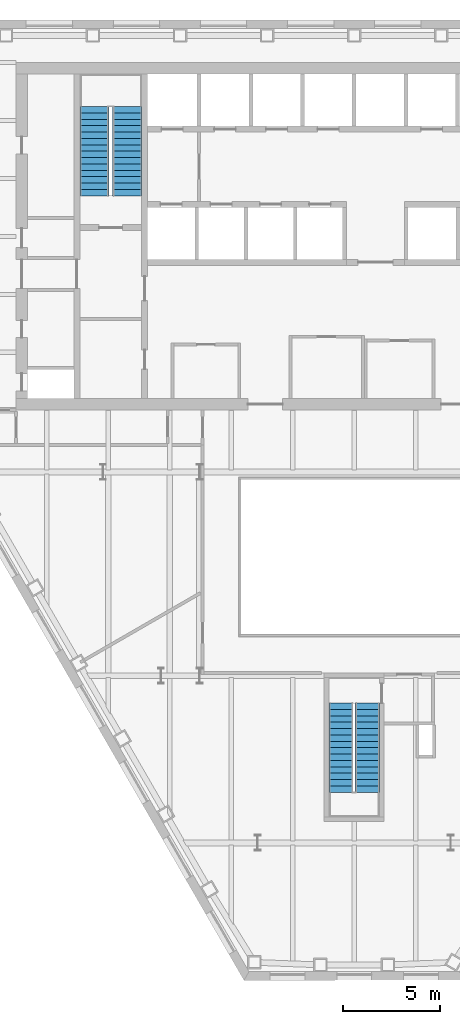
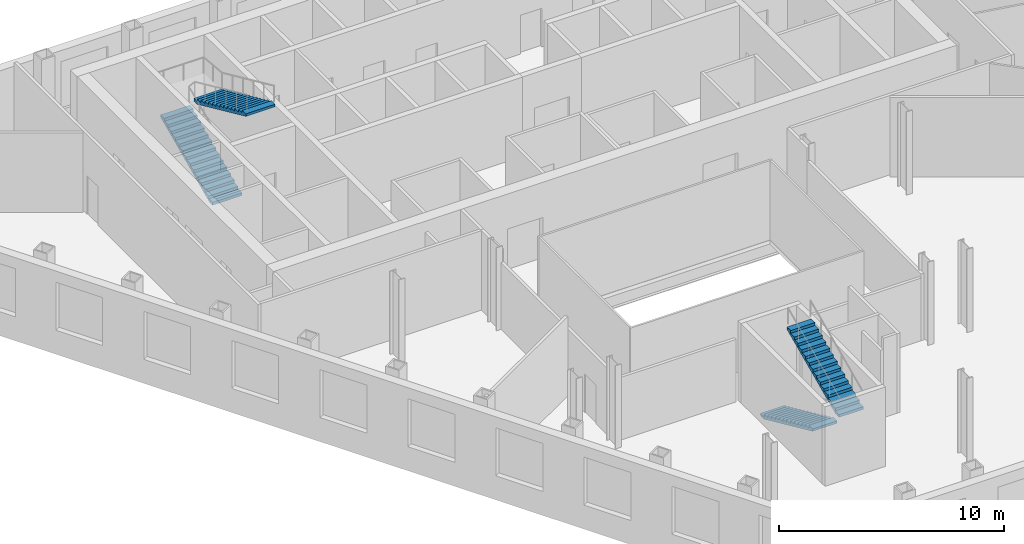
# One storey, part 8 of 10: 4 stair flights, 2 elements without a shape of their own.
"""IFC4 building model written with IfcOpenShell, lengths in metres."""

from ifc_helpers import new_model, si_unit, direction, frame, origin, place, context, subcontext, project, spatial, polygons, material, type_object, element, aggregate, save


model = new_model("IFC4")

# Units and contexts
model_context = context("Model", 3, precision=1e-05, world=origin(), true_north=direction((0.0, 1.0)))
body_context = subcontext(model_context, "Body", "Model", "MODEL_VIEW")
ifc_project = project(units=[si_unit("LENGTHUNIT", "METRE"), si_unit("AREAUNIT", "SQUARE_METRE"), si_unit("VOLUMEUNIT", "CUBIC_METRE"), si_unit("PLANEANGLEUNIT", "RADIAN"), si_unit("MASSUNIT", "GRAM", prefix="KILO")], contexts=[model_context])

# Site, building, storey
site_placement = place(None, origin())
site = spatial("IfcSite", under=ifc_project, at=site_placement, CompositionType="ELEMENT")
building_placement = place(site_placement, origin())
building = spatial("IfcBuilding", under=site, at=building_placement, Name="Njiva Tower", CompositionType="ELEMENT")
storey_placement = place(building_placement, frame((0.0, 0.0, 51.3)))
storey = spatial("IfcBuildingStorey", under=building, at=storey_placement, Name="L10", CompositionType="ELEMENT", Elevation=51.3)

# Stair, stair flights
ifc_material = material(Name="Concrete C40/50", Category="concrete")
stair_type_1 = type_object("IfcStairType", Name="ST1 Exit stair 1250", PredefinedType="HALF_TURN_STAIR", material=ifc_material)
stair_1_placement = place(storey_placement, origin())
stair_1 = element("IfcStair", 1, at=stair_1_placement, inside=storey, type_object=stair_type_1, Name="Stair C", PredefinedType="HALF_TURN_STAIR")
stair_flight_type_1 = type_object("IfcStairFlightType", Name="FL1 Stair flight 1250", PredefinedType="STRAIGHT", material=ifc_material)
stair_flight_1_placement = place(storey_placement, frame((-0.675, -15.16, 0.0), z_axis=(0.0, 0.0, 1.0), x_axis=(0.0, -1.0, 0.0)))
stair_flight_1 = element("IfcStairFlight", 2, at=stair_flight_1_placement, type_object=stair_flight_type_1, Name="ST-C flight 1", NumberOfRisers=15, NumberOfTreads=14, PredefinedType="STRAIGHT", RiserHeight=0.15, TreadLength=0.33, context=body_context, shape_type="Tessellation", body=[
    polygons([(0.0, 0.625, 0.0), (0.0, 0.3125, 0.0), (0.0, 0.0, 0.0), (0.0, -0.3125, 0.0), (0.0, -0.625, 0.0), (0.0, 0.625, 0.15), (0.0, 0.3125, 0.15), (0.0, 0.0, 0.15), (0.0, -0.3125, 0.15), (0.0, -0.625, 0.15), (0.33, 0.625, 0.15), (0.33, 0.3125, 0.15), (0.33, 0.0, 0.15), (0.33, -0.3125, 0.15), (0.33, -0.625, 0.15), (0.33, 0.625, 0.3), (0.33, 0.3125, 0.3), (0.33, 0.0, 0.3), (0.33, -0.3125, 0.3), (0.33, -0.625, 0.3), (0.66, 0.625, 0.3), (0.66, 0.3125, 0.3), (0.66, 0.0, 0.3), (0.66, -0.3125, 0.3), (0.66, -0.625, 0.3), (0.66, 0.625, 0.45), (0.66, 0.3125, 0.45), (0.66, 0.0, 0.45), (0.66, -0.3125, 0.45), (0.66, -0.625, 0.45), (0.99, 0.625, 0.45), (0.99, 0.3125, 0.45), (0.99, 0.0, 0.45), (0.99, -0.3125, 0.45), (0.99, -0.625, 0.45), (0.99, 0.625, 0.6), (0.99, 0.3125, 0.6), (0.99, 0.0, 0.6), (0.99, -0.3125, 0.6), (0.99, -0.625, 0.6), (1.32, 0.625, 0.6), (1.32, 0.3125, 0.6), (1.32, 0.0, 0.6), (1.32, -0.3125, 0.6), (1.32, -0.625, 0.6), (1.32, 0.625, 0.75), (1.32, 0.3125, 0.75), (1.32, 0.0, 0.75), (1.32, -0.3125, 0.75), (1.32, -0.625, 0.75), (1.65, 0.625, 0.75), (1.65, 0.3125, 0.75), (1.65, 0.0, 0.75), (1.65, -0.3125, 0.75), (1.65, -0.625, 0.75), (1.65, 0.625, 0.9), (1.65, 0.3125, 0.9), (1.65, 0.0, 0.9), (1.65, -0.3125, 0.9), (1.65, -0.625, 0.9), (1.98, 0.625, 0.9), (1.98, 0.3125, 0.9), (1.98, 0.0, 0.9), (1.98, -0.3125, 0.9), (1.98, -0.625, 0.9), (1.98, 0.625, 1.05), (1.98, 0.3125, 1.05), (1.98, 0.0, 1.05), (1.98, -0.3125, 1.05), (1.98, -0.625, 1.05), (2.31, 0.625, 1.05), (2.31, 0.3125, 1.05), (2.31, 0.0, 1.05), (2.31, -0.3125, 1.05), (2.31, -0.625, 1.05), (2.31, 0.625, 1.2), (2.31, 0.3125, 1.2), (2.31, 0.0, 1.2), (2.31, -0.3125, 1.2), (2.31, -0.625, 1.2), (2.64, 0.625, 1.2), (2.64, 0.3125, 1.2), (2.64, 0.0, 1.2), (2.64, -0.3125, 1.2), (2.64, -0.625, 1.2), (2.64, 0.625, 1.35), (2.64, 0.3125, 1.35), (2.64, 0.0, 1.35), (2.64, -0.3125, 1.35), (2.64, -0.625, 1.35), (2.97, 0.625, 1.35), (2.97, 0.3125, 1.35), (2.97, 0.0, 1.35), (2.97, -0.3125, 1.35), (2.97, -0.625, 1.35), (2.97, 0.625, 1.5), (2.97, 0.3125, 1.5), (2.97, 0.0, 1.5), (2.97, -0.3125, 1.5), (2.97, -0.625, 1.5), (3.3, 0.625, 1.5), (3.3, 0.3125, 1.5), (3.3, 0.0, 1.5), (3.3, -0.3125, 1.5), (3.3, -0.625, 1.5), (3.3, 0.625, 1.65), (3.3, 0.3125, 1.65), (3.3, 0.0, 1.65), (3.3, -0.3125, 1.65), (3.3, -0.625, 1.65), (3.63, 0.625, 1.65), (3.63, 0.3125, 1.65), (3.63, 0.0, 1.65), (3.63, -0.3125, 1.65), (3.63, -0.625, 1.65), (3.63, 0.625, 1.8), (3.63, 0.3125, 1.8), (3.63, 0.0, 1.8), (3.63, -0.3125, 1.8), (3.63, -0.625, 1.8), (3.96, 0.625, 1.8), (3.96, 0.3125, 1.8), (3.96, 0.0, 1.8), (3.96, -0.3125, 1.8), (3.96, -0.625, 1.8), (3.96, 0.625, 1.95), (3.96, 0.3125, 1.95), (3.96, 0.0, 1.95), (3.96, -0.3125, 1.95), (3.96, -0.625, 1.95), (4.29, 0.625, 1.95), (4.29, 0.3125, 1.95), (4.29, 0.0, 1.95), (4.29, -0.3125, 1.95), (4.29, -0.625, 1.95), (4.29, 0.625, 2.1), (4.29, 0.3125, 2.1), (4.29, 0.0, 2.1), (4.29, -0.3125, 2.1), (4.29, -0.625, 2.1), (4.62, 0.625, 2.1), (4.62, 0.3125, 2.1), (4.62, 0.0, 2.1), (4.62, -0.3125, 2.1), (4.62, -0.625, 2.1), (4.62, 0.625, 1.9682), (4.62, 0.3125, 1.9682), (4.62, 0.0, 1.9682), (4.62, -0.3125, 1.9682), (4.62, -0.625, 1.9682), (0.29, 0.625, 0.0), (0.29, 0.3125, 0.0), (0.29, 0.0, 0.0), (0.29, -0.3125, 0.0), (0.29, -0.625, 0.0)], [[[1, 6, 11, 16, 21, 26, 31, 36, 41, 46, 51, 56, 61, 66, 71, 76, 81, 86, 91, 96, 101, 106, 111, 116, 121, 126, 131, 136, 141, 146, 151]], [[155, 150, 145, 140, 135, 130, 125, 120, 115, 110, 105, 100, 95, 90, 85, 80, 75, 70, 65, 60, 55, 50, 45, 40, 35, 30, 25, 20, 15, 10, 5]], [[6, 1, 2, 7]], [[7, 2, 3, 8]], [[8, 3, 4, 9]], [[9, 4, 5, 10]], [[11, 6, 7, 12]], [[12, 7, 8, 13]], [[13, 8, 9, 14]], [[14, 9, 10, 15]], [[16, 11, 12, 17]], [[17, 12, 13, 18]], [[18, 13, 14, 19]], [[19, 14, 15, 20]], [[21, 16, 17, 22]], [[22, 17, 18, 23]], [[23, 18, 19, 24]], [[24, 19, 20, 25]], [[26, 21, 22, 27]], [[27, 22, 23, 28]], [[28, 23, 24, 29]], [[29, 24, 25, 30]], [[31, 26, 27, 32]], [[32, 27, 28, 33]], [[33, 28, 29, 34]], [[34, 29, 30, 35]], [[36, 31, 32, 37]], [[37, 32, 33, 38]], [[38, 33, 34, 39]], [[39, 34, 35, 40]], [[41, 36, 37, 42]], [[42, 37, 38, 43]], [[43, 38, 39, 44]], [[44, 39, 40, 45]], [[46, 41, 42, 47]], [[47, 42, 43, 48]], [[48, 43, 44, 49]], [[49, 44, 45, 50]], [[51, 46, 47, 52]], [[52, 47, 48, 53]], [[53, 48, 49, 54]], [[54, 49, 50, 55]], [[56, 51, 52, 57]], [[57, 52, 53, 58]], [[58, 53, 54, 59]], [[59, 54, 55, 60]], [[61, 56, 57, 62]], [[62, 57, 58, 63]], [[63, 58, 59, 64]], [[64, 59, 60, 65]], [[66, 61, 62, 67]], [[67, 62, 63, 68]], [[68, 63, 64, 69]], [[69, 64, 65, 70]], [[71, 66, 67, 72]], [[72, 67, 68, 73]], [[73, 68, 69, 74]], [[74, 69, 70, 75]], [[76, 71, 72, 77]], [[77, 72, 73, 78]], [[78, 73, 74, 79]], [[79, 74, 75, 80]], [[81, 76, 77, 82]], [[82, 77, 78, 83]], [[83, 78, 79, 84]], [[84, 79, 80, 85]], [[86, 81, 82, 87]], [[87, 82, 83, 88]], [[88, 83, 84, 89]], [[89, 84, 85, 90]], [[91, 86, 87, 92]], [[92, 87, 88, 93]], [[93, 88, 89, 94]], [[94, 89, 90, 95]], [[96, 91, 92, 97]], [[97, 92, 93, 98]], [[98, 93, 94, 99]], [[99, 94, 95, 100]], [[101, 96, 97, 102]], [[102, 97, 98, 103]], [[103, 98, 99, 104]], [[104, 99, 100, 105]], [[106, 101, 102, 107]], [[107, 102, 103, 108]], [[108, 103, 104, 109]], [[109, 104, 105, 110]], [[111, 106, 107, 112]], [[112, 107, 108, 113]], [[113, 108, 109, 114]], [[114, 109, 110, 115]], [[116, 111, 112, 117]], [[117, 112, 113, 118]], [[118, 113, 114, 119]], [[119, 114, 115, 120]], [[121, 116, 117, 122]], [[122, 117, 118, 123]], [[123, 118, 119, 124]], [[124, 119, 120, 125]], [[126, 121, 122, 127]], [[127, 122, 123, 128]], [[128, 123, 124, 129]], [[129, 124, 125, 130]], [[131, 126, 127, 132]], [[132, 127, 128, 133]], [[133, 128, 129, 134]], [[134, 129, 130, 135]], [[136, 131, 132, 137]], [[137, 132, 133, 138]], [[138, 133, 134, 139]], [[139, 134, 135, 140]], [[141, 136, 137, 142]], [[142, 137, 138, 143]], [[143, 138, 139, 144]], [[144, 139, 140, 145]], [[146, 141, 142, 147]], [[147, 142, 143, 148]], [[148, 143, 144, 149]], [[149, 144, 145, 150]], [[151, 146, 147, 152]], [[152, 147, 148, 153]], [[153, 148, 149, 154]], [[154, 149, 150, 155]], [[1, 151, 152, 2]], [[2, 152, 153, 3]], [[3, 153, 154, 4]], [[4, 154, 155, 5]]], closed=True),
])
stair_flight_2_placement = place(storey_placement, frame((0.675, -19.78, 2.25), z_axis=(0.0, 0.0, 1.0), x_axis=(0.0, 1.0, 0.0)))
stair_flight_2 = element("IfcStairFlight", 3, at=stair_flight_2_placement, type_object=stair_flight_type_1, Name="ST-C flight 2", NumberOfRisers=15, NumberOfTreads=14, PredefinedType="STRAIGHT", RiserHeight=0.15, TreadLength=0.33, context=body_context, shape_type="Tessellation", body=[
    polygons([(0.0, 0.625, 0.0), (0.0, 0.3125, 0.0), (0.0, 0.0, 0.0), (0.0, -0.3125, 0.0), (0.0, -0.625, 0.0), (0.0, 0.625, 0.15), (0.0, 0.3125, 0.15), (0.0, 0.0, 0.15), (0.0, -0.3125, 0.15), (0.0, -0.625, 0.15), (0.33, 0.625, 0.15), (0.33, 0.3125, 0.15), (0.33, 0.0, 0.15), (0.33, -0.3125, 0.15), (0.33, -0.625, 0.15), (0.33, 0.625, 0.3), (0.33, 0.3125, 0.3), (0.33, 0.0, 0.3), (0.33, -0.3125, 0.3), (0.33, -0.625, 0.3), (0.66, 0.625, 0.3), (0.66, 0.3125, 0.3), (0.66, 0.0, 0.3), (0.66, -0.3125, 0.3), (0.66, -0.625, 0.3), (0.66, 0.625, 0.45), (0.66, 0.3125, 0.45), (0.66, 0.0, 0.45), (0.66, -0.3125, 0.45), (0.66, -0.625, 0.45), (0.99, 0.625, 0.45), (0.99, 0.3125, 0.45), (0.99, 0.0, 0.45), (0.99, -0.3125, 0.45), (0.99, -0.625, 0.45), (0.99, 0.625, 0.6), (0.99, 0.3125, 0.6), (0.99, 0.0, 0.6), (0.99, -0.3125, 0.6), (0.99, -0.625, 0.6), (1.32, 0.625, 0.6), (1.32, 0.3125, 0.6), (1.32, 0.0, 0.6), (1.32, -0.3125, 0.6), (1.32, -0.625, 0.6), (1.32, 0.625, 0.75), (1.32, 0.3125, 0.75), (1.32, 0.0, 0.75), (1.32, -0.3125, 0.75), (1.32, -0.625, 0.75), (1.65, 0.625, 0.75), (1.65, 0.3125, 0.75), (1.65, 0.0, 0.75), (1.65, -0.3125, 0.75), (1.65, -0.625, 0.75), (1.65, 0.625, 0.9), (1.65, 0.3125, 0.9), (1.65, 0.0, 0.9), (1.65, -0.3125, 0.9), (1.65, -0.625, 0.9), (1.98, 0.625, 0.9), (1.98, 0.3125, 0.9), (1.98, 0.0, 0.9), (1.98, -0.3125, 0.9), (1.98, -0.625, 0.9), (1.98, 0.625, 1.05), (1.98, 0.3125, 1.05), (1.98, 0.0, 1.05), (1.98, -0.3125, 1.05), (1.98, -0.625, 1.05), (2.31, 0.625, 1.05), (2.31, 0.3125, 1.05), (2.31, 0.0, 1.05), (2.31, -0.3125, 1.05), (2.31, -0.625, 1.05), (2.31, 0.625, 1.2), (2.31, 0.3125, 1.2), (2.31, 0.0, 1.2), (2.31, -0.3125, 1.2), (2.31, -0.625, 1.2), (2.64, 0.625, 1.2), (2.64, 0.3125, 1.2), (2.64, 0.0, 1.2), (2.64, -0.3125, 1.2), (2.64, -0.625, 1.2), (2.64, 0.625, 1.35), (2.64, 0.3125, 1.35), (2.64, 0.0, 1.35), (2.64, -0.3125, 1.35), (2.64, -0.625, 1.35), (2.97, 0.625, 1.35), (2.97, 0.3125, 1.35), (2.97, 0.0, 1.35), (2.97, -0.3125, 1.35), (2.97, -0.625, 1.35), (2.97, 0.625, 1.5), (2.97, 0.3125, 1.5), (2.97, 0.0, 1.5), (2.97, -0.3125, 1.5), (2.97, -0.625, 1.5), (3.3, 0.625, 1.5), (3.3, 0.3125, 1.5), (3.3, 0.0, 1.5), (3.3, -0.3125, 1.5), (3.3, -0.625, 1.5), (3.3, 0.625, 1.65), (3.3, 0.3125, 1.65), (3.3, 0.0, 1.65), (3.3, -0.3125, 1.65), (3.3, -0.625, 1.65), (3.63, 0.625, 1.65), (3.63, 0.3125, 1.65), (3.63, 0.0, 1.65), (3.63, -0.3125, 1.65), (3.63, -0.625, 1.65), (3.63, 0.625, 1.8), (3.63, 0.3125, 1.8), (3.63, 0.0, 1.8), (3.63, -0.3125, 1.8), (3.63, -0.625, 1.8), (3.96, 0.625, 1.8), (3.96, 0.3125, 1.8), (3.96, 0.0, 1.8), (3.96, -0.3125, 1.8), (3.96, -0.625, 1.8), (3.96, 0.625, 1.95), (3.96, 0.3125, 1.95), (3.96, 0.0, 1.95), (3.96, -0.3125, 1.95), (3.96, -0.625, 1.95), (4.29, 0.625, 1.95), (4.29, 0.3125, 1.95), (4.29, 0.0, 1.95), (4.29, -0.3125, 1.95), (4.29, -0.625, 1.95), (4.29, 0.625, 2.1), (4.29, 0.3125, 2.1), (4.29, 0.0, 2.1), (4.29, -0.3125, 2.1), (4.29, -0.625, 2.1), (4.62, 0.625, 2.1), (4.62, 0.3125, 2.1), (4.62, 0.0, 2.1), (4.62, -0.3125, 2.1), (4.62, -0.625, 2.1), (4.62, 0.625, 1.9682), (4.62, 0.3125, 1.9682), (4.62, 0.0, 1.9682), (4.62, -0.3125, 1.9682), (4.62, -0.625, 1.9682), (0.29, 0.625, 0.0), (0.29, 0.3125, 0.0), (0.29, 0.0, 0.0), (0.29, -0.3125, 0.0), (0.29, -0.625, 0.0)], [[[1, 6, 11, 16, 21, 26, 31, 36, 41, 46, 51, 56, 61, 66, 71, 76, 81, 86, 91, 96, 101, 106, 111, 116, 121, 126, 131, 136, 141, 146, 151]], [[155, 150, 145, 140, 135, 130, 125, 120, 115, 110, 105, 100, 95, 90, 85, 80, 75, 70, 65, 60, 55, 50, 45, 40, 35, 30, 25, 20, 15, 10, 5]], [[6, 1, 2, 7]], [[7, 2, 3, 8]], [[8, 3, 4, 9]], [[9, 4, 5, 10]], [[11, 6, 7, 12]], [[12, 7, 8, 13]], [[13, 8, 9, 14]], [[14, 9, 10, 15]], [[16, 11, 12, 17]], [[17, 12, 13, 18]], [[18, 13, 14, 19]], [[19, 14, 15, 20]], [[21, 16, 17, 22]], [[22, 17, 18, 23]], [[23, 18, 19, 24]], [[24, 19, 20, 25]], [[26, 21, 22, 27]], [[27, 22, 23, 28]], [[28, 23, 24, 29]], [[29, 24, 25, 30]], [[31, 26, 27, 32]], [[32, 27, 28, 33]], [[33, 28, 29, 34]], [[34, 29, 30, 35]], [[36, 31, 32, 37]], [[37, 32, 33, 38]], [[38, 33, 34, 39]], [[39, 34, 35, 40]], [[41, 36, 37, 42]], [[42, 37, 38, 43]], [[43, 38, 39, 44]], [[44, 39, 40, 45]], [[46, 41, 42, 47]], [[47, 42, 43, 48]], [[48, 43, 44, 49]], [[49, 44, 45, 50]], [[51, 46, 47, 52]], [[52, 47, 48, 53]], [[53, 48, 49, 54]], [[54, 49, 50, 55]], [[56, 51, 52, 57]], [[57, 52, 53, 58]], [[58, 53, 54, 59]], [[59, 54, 55, 60]], [[61, 56, 57, 62]], [[62, 57, 58, 63]], [[63, 58, 59, 64]], [[64, 59, 60, 65]], [[66, 61, 62, 67]], [[67, 62, 63, 68]], [[68, 63, 64, 69]], [[69, 64, 65, 70]], [[71, 66, 67, 72]], [[72, 67, 68, 73]], [[73, 68, 69, 74]], [[74, 69, 70, 75]], [[76, 71, 72, 77]], [[77, 72, 73, 78]], [[78, 73, 74, 79]], [[79, 74, 75, 80]], [[81, 76, 77, 82]], [[82, 77, 78, 83]], [[83, 78, 79, 84]], [[84, 79, 80, 85]], [[86, 81, 82, 87]], [[87, 82, 83, 88]], [[88, 83, 84, 89]], [[89, 84, 85, 90]], [[91, 86, 87, 92]], [[92, 87, 88, 93]], [[93, 88, 89, 94]], [[94, 89, 90, 95]], [[96, 91, 92, 97]], [[97, 92, 93, 98]], [[98, 93, 94, 99]], [[99, 94, 95, 100]], [[101, 96, 97, 102]], [[102, 97, 98, 103]], [[103, 98, 99, 104]], [[104, 99, 100, 105]], [[106, 101, 102, 107]], [[107, 102, 103, 108]], [[108, 103, 104, 109]], [[109, 104, 105, 110]], [[111, 106, 107, 112]], [[112, 107, 108, 113]], [[113, 108, 109, 114]], [[114, 109, 110, 115]], [[116, 111, 112, 117]], [[117, 112, 113, 118]], [[118, 113, 114, 119]], [[119, 114, 115, 120]], [[121, 116, 117, 122]], [[122, 117, 118, 123]], [[123, 118, 119, 124]], [[124, 119, 120, 125]], [[126, 121, 122, 127]], [[127, 122, 123, 128]], [[128, 123, 124, 129]], [[129, 124, 125, 130]], [[131, 126, 127, 132]], [[132, 127, 128, 133]], [[133, 128, 129, 134]], [[134, 129, 130, 135]], [[136, 131, 132, 137]], [[137, 132, 133, 138]], [[138, 133, 134, 139]], [[139, 134, 135, 140]], [[141, 136, 137, 142]], [[142, 137, 138, 143]], [[143, 138, 139, 144]], [[144, 139, 140, 145]], [[146, 141, 142, 147]], [[147, 142, 143, 148]], [[148, 143, 144, 149]], [[149, 144, 145, 150]], [[151, 146, 147, 152]], [[152, 147, 148, 153]], [[153, 148, 149, 154]], [[154, 149, 150, 155]], [[1, 151, 152, 2]], [[2, 152, 153, 3]], [[3, 153, 154, 4]], [[4, 154, 155, 5]]], closed=True),
])
aggregate(stair_1, [stair_flight_1, stair_flight_2])

stair_type_2 = type_object("IfcStairType", Name="ST4 Exit stair 1500", PredefinedType="HALF_TURN_STAIR", material=ifc_material)
stair_2_placement = place(storey_placement, origin())
stair_2 = element("IfcStair", 4, at=stair_2_placement, inside=storey, type_object=stair_type_2, Name="Stair A", PredefinedType="HALF_TURN_STAIR")
stair_flight_type_2 = type_object("IfcStairFlightType", Name="FL4 Stair flight 1500", PredefinedType="STRAIGHT", material=ifc_material)
stair_flight_3_placement = place(storey_placement, frame((-13.45, 11.1, 0.0), z_axis=(0.0, 0.0, 1.0), x_axis=(0.0, 1.0, 0.0)))
stair_flight_3 = element("IfcStairFlight", 5, at=stair_flight_3_placement, type_object=stair_flight_type_2, Name="ST-A flight 1", NumberOfRisers=15, NumberOfTreads=14, PredefinedType="STRAIGHT", RiserHeight=0.15, TreadLength=0.33, context=body_context, shape_type="Tessellation", body=[
    polygons([(0.0, 0.75, 0.0), (0.0, 0.375, 0.0), (0.0, 0.0, 0.0), (0.0, -0.375, 0.0), (0.0, -0.75, 0.0), (0.0, 0.75, 0.15), (0.0, 0.375, 0.15), (0.0, 0.0, 0.15), (0.0, -0.375, 0.15), (0.0, -0.75, 0.15), (0.33, 0.75, 0.15), (0.33, 0.375, 0.15), (0.33, 0.0, 0.15), (0.33, -0.375, 0.15), (0.33, -0.75, 0.15), (0.33, 0.75, 0.3), (0.33, 0.375, 0.3), (0.33, 0.0, 0.3), (0.33, -0.375, 0.3), (0.33, -0.75, 0.3), (0.66, 0.75, 0.3), (0.66, 0.375, 0.3), (0.66, 0.0, 0.3), (0.66, -0.375, 0.3), (0.66, -0.75, 0.3), (0.66, 0.75, 0.45), (0.66, 0.375, 0.45), (0.66, 0.0, 0.45), (0.66, -0.375, 0.45), (0.66, -0.75, 0.45), (0.99, 0.75, 0.45), (0.99, 0.375, 0.45), (0.99, 0.0, 0.45), (0.99, -0.375, 0.45), (0.99, -0.75, 0.45), (0.99, 0.75, 0.6), (0.99, 0.375, 0.6), (0.99, 0.0, 0.6), (0.99, -0.375, 0.6), (0.99, -0.75, 0.6), (1.32, 0.75, 0.6), (1.32, 0.375, 0.6), (1.32, 0.0, 0.6), (1.32, -0.375, 0.6), (1.32, -0.75, 0.6), (1.32, 0.75, 0.75), (1.32, 0.375, 0.75), (1.32, 0.0, 0.75), (1.32, -0.375, 0.75), (1.32, -0.75, 0.75), (1.65, 0.75, 0.75), (1.65, 0.375, 0.75), (1.65, 0.0, 0.75), (1.65, -0.375, 0.75), (1.65, -0.75, 0.75), (1.65, 0.75, 0.9), (1.65, 0.375, 0.9), (1.65, 0.0, 0.9), (1.65, -0.375, 0.9), (1.65, -0.75, 0.9), (1.98, 0.75, 0.9), (1.98, 0.375, 0.9), (1.98, 0.0, 0.9), (1.98, -0.375, 0.9), (1.98, -0.75, 0.9), (1.98, 0.75, 1.05), (1.98, 0.375, 1.05), (1.98, 0.0, 1.05), (1.98, -0.375, 1.05), (1.98, -0.75, 1.05), (2.31, 0.75, 1.05), (2.31, 0.375, 1.05), (2.31, 0.0, 1.05), (2.31, -0.375, 1.05), (2.31, -0.75, 1.05), (2.31, 0.75, 1.2), (2.31, 0.375, 1.2), (2.31, 0.0, 1.2), (2.31, -0.375, 1.2), (2.31, -0.75, 1.2), (2.64, 0.75, 1.2), (2.64, 0.375, 1.2), (2.64, 0.0, 1.2), (2.64, -0.375, 1.2), (2.64, -0.75, 1.2), (2.64, 0.75, 1.35), (2.64, 0.375, 1.35), (2.64, 0.0, 1.35), (2.64, -0.375, 1.35), (2.64, -0.75, 1.35), (2.97, 0.75, 1.35), (2.97, 0.375, 1.35), (2.97, 0.0, 1.35), (2.97, -0.375, 1.35), (2.97, -0.75, 1.35), (2.97, 0.75, 1.5), (2.97, 0.375, 1.5), (2.97, 0.0, 1.5), (2.97, -0.375, 1.5), (2.97, -0.75, 1.5), (3.3, 0.75, 1.5), (3.3, 0.375, 1.5), (3.3, 0.0, 1.5), (3.3, -0.375, 1.5), (3.3, -0.75, 1.5), (3.3, 0.75, 1.65), (3.3, 0.375, 1.65), (3.3, 0.0, 1.65), (3.3, -0.375, 1.65), (3.3, -0.75, 1.65), (3.63, 0.75, 1.65), (3.63, 0.375, 1.65), (3.63, 0.0, 1.65), (3.63, -0.375, 1.65), (3.63, -0.75, 1.65), (3.63, 0.75, 1.8), (3.63, 0.375, 1.8), (3.63, 0.0, 1.8), (3.63, -0.375, 1.8), (3.63, -0.75, 1.8), (3.96, 0.75, 1.8), (3.96, 0.375, 1.8), (3.96, 0.0, 1.8), (3.96, -0.375, 1.8), (3.96, -0.75, 1.8), (3.96, 0.75, 1.95), (3.96, 0.375, 1.95), (3.96, 0.0, 1.95), (3.96, -0.375, 1.95), (3.96, -0.75, 1.95), (4.29, 0.75, 1.95), (4.29, 0.375, 1.95), (4.29, 0.0, 1.95), (4.29, -0.375, 1.95), (4.29, -0.75, 1.95), (4.29, 0.75, 2.1), (4.29, 0.375, 2.1), (4.29, 0.0, 2.1), (4.29, -0.375, 2.1), (4.29, -0.75, 2.1), (4.62, 0.75, 2.1), (4.62, 0.375, 2.1), (4.62, 0.0, 2.1), (4.62, -0.375, 2.1), (4.62, -0.75, 2.1), (4.62, 0.75, 1.9682), (4.62, 0.375, 1.9682), (4.62, 0.0, 1.9682), (4.62, -0.375, 1.9682), (4.62, -0.75, 1.9682), (0.29, 0.75, 0.0), (0.29, 0.375, 0.0), (0.29, 0.0, 0.0), (0.29, -0.375, 0.0), (0.29, -0.75, 0.0)], [[[1, 6, 11, 16, 21, 26, 31, 36, 41, 46, 51, 56, 61, 66, 71, 76, 81, 86, 91, 96, 101, 106, 111, 116, 121, 126, 131, 136, 141, 146, 151]], [[155, 150, 145, 140, 135, 130, 125, 120, 115, 110, 105, 100, 95, 90, 85, 80, 75, 70, 65, 60, 55, 50, 45, 40, 35, 30, 25, 20, 15, 10, 5]], [[6, 1, 2, 7]], [[7, 2, 3, 8]], [[8, 3, 4, 9]], [[9, 4, 5, 10]], [[11, 6, 7, 12]], [[12, 7, 8, 13]], [[13, 8, 9, 14]], [[14, 9, 10, 15]], [[16, 11, 12, 17]], [[17, 12, 13, 18]], [[18, 13, 14, 19]], [[19, 14, 15, 20]], [[21, 16, 17, 22]], [[22, 17, 18, 23]], [[23, 18, 19, 24]], [[24, 19, 20, 25]], [[26, 21, 22, 27]], [[27, 22, 23, 28]], [[28, 23, 24, 29]], [[29, 24, 25, 30]], [[31, 26, 27, 32]], [[32, 27, 28, 33]], [[33, 28, 29, 34]], [[34, 29, 30, 35]], [[36, 31, 32, 37]], [[37, 32, 33, 38]], [[38, 33, 34, 39]], [[39, 34, 35, 40]], [[41, 36, 37, 42]], [[42, 37, 38, 43]], [[43, 38, 39, 44]], [[44, 39, 40, 45]], [[46, 41, 42, 47]], [[47, 42, 43, 48]], [[48, 43, 44, 49]], [[49, 44, 45, 50]], [[51, 46, 47, 52]], [[52, 47, 48, 53]], [[53, 48, 49, 54]], [[54, 49, 50, 55]], [[56, 51, 52, 57]], [[57, 52, 53, 58]], [[58, 53, 54, 59]], [[59, 54, 55, 60]], [[61, 56, 57, 62]], [[62, 57, 58, 63]], [[63, 58, 59, 64]], [[64, 59, 60, 65]], [[66, 61, 62, 67]], [[67, 62, 63, 68]], [[68, 63, 64, 69]], [[69, 64, 65, 70]], [[71, 66, 67, 72]], [[72, 67, 68, 73]], [[73, 68, 69, 74]], [[74, 69, 70, 75]], [[76, 71, 72, 77]], [[77, 72, 73, 78]], [[78, 73, 74, 79]], [[79, 74, 75, 80]], [[81, 76, 77, 82]], [[82, 77, 78, 83]], [[83, 78, 79, 84]], [[84, 79, 80, 85]], [[86, 81, 82, 87]], [[87, 82, 83, 88]], [[88, 83, 84, 89]], [[89, 84, 85, 90]], [[91, 86, 87, 92]], [[92, 87, 88, 93]], [[93, 88, 89, 94]], [[94, 89, 90, 95]], [[96, 91, 92, 97]], [[97, 92, 93, 98]], [[98, 93, 94, 99]], [[99, 94, 95, 100]], [[101, 96, 97, 102]], [[102, 97, 98, 103]], [[103, 98, 99, 104]], [[104, 99, 100, 105]], [[106, 101, 102, 107]], [[107, 102, 103, 108]], [[108, 103, 104, 109]], [[109, 104, 105, 110]], [[111, 106, 107, 112]], [[112, 107, 108, 113]], [[113, 108, 109, 114]], [[114, 109, 110, 115]], [[116, 111, 112, 117]], [[117, 112, 113, 118]], [[118, 113, 114, 119]], [[119, 114, 115, 120]], [[121, 116, 117, 122]], [[122, 117, 118, 123]], [[123, 118, 119, 124]], [[124, 119, 120, 125]], [[126, 121, 122, 127]], [[127, 122, 123, 128]], [[128, 123, 124, 129]], [[129, 124, 125, 130]], [[131, 126, 127, 132]], [[132, 127, 128, 133]], [[133, 128, 129, 134]], [[134, 129, 130, 135]], [[136, 131, 132, 137]], [[137, 132, 133, 138]], [[138, 133, 134, 139]], [[139, 134, 135, 140]], [[141, 136, 137, 142]], [[142, 137, 138, 143]], [[143, 138, 139, 144]], [[144, 139, 140, 145]], [[146, 141, 142, 147]], [[147, 142, 143, 148]], [[148, 143, 144, 149]], [[149, 144, 145, 150]], [[151, 146, 147, 152]], [[152, 147, 148, 153]], [[153, 148, 149, 154]], [[154, 149, 150, 155]], [[1, 151, 152, 2]], [[2, 152, 153, 3]], [[3, 153, 154, 4]], [[4, 154, 155, 5]]], closed=True),
])
stair_flight_4_placement = place(storey_placement, frame((-11.75, 15.72, 2.25), z_axis=(0.0, 0.0, 1.0), x_axis=(0.0, -1.0, 0.0)))
stair_flight_4 = element("IfcStairFlight", 6, at=stair_flight_4_placement, type_object=stair_flight_type_2, Name="ST-A flight 2", NumberOfRisers=15, NumberOfTreads=14, PredefinedType="STRAIGHT", RiserHeight=0.15, TreadLength=0.33, context=body_context, shape_type="Tessellation", body=[
    polygons([(0.0, 0.75, 0.0), (0.0, 0.375, 0.0), (0.0, 0.0, 0.0), (0.0, -0.375, 0.0), (0.0, -0.75, 0.0), (0.0, 0.75, 0.15), (0.0, 0.375, 0.15), (0.0, 0.0, 0.15), (0.0, -0.375, 0.15), (0.0, -0.75, 0.15), (0.33, 0.75, 0.15), (0.33, 0.375, 0.15), (0.33, 0.0, 0.15), (0.33, -0.375, 0.15), (0.33, -0.75, 0.15), (0.33, 0.75, 0.3), (0.33, 0.375, 0.3), (0.33, 0.0, 0.3), (0.33, -0.375, 0.3), (0.33, -0.75, 0.3), (0.66, 0.75, 0.3), (0.66, 0.375, 0.3), (0.66, 0.0, 0.3), (0.66, -0.375, 0.3), (0.66, -0.75, 0.3), (0.66, 0.75, 0.45), (0.66, 0.375, 0.45), (0.66, 0.0, 0.45), (0.66, -0.375, 0.45), (0.66, -0.75, 0.45), (0.99, 0.75, 0.45), (0.99, 0.375, 0.45), (0.99, 0.0, 0.45), (0.99, -0.375, 0.45), (0.99, -0.75, 0.45), (0.99, 0.75, 0.6), (0.99, 0.375, 0.6), (0.99, 0.0, 0.6), (0.99, -0.375, 0.6), (0.99, -0.75, 0.6), (1.32, 0.75, 0.6), (1.32, 0.375, 0.6), (1.32, 0.0, 0.6), (1.32, -0.375, 0.6), (1.32, -0.75, 0.6), (1.32, 0.75, 0.75), (1.32, 0.375, 0.75), (1.32, 0.0, 0.75), (1.32, -0.375, 0.75), (1.32, -0.75, 0.75), (1.65, 0.75, 0.75), (1.65, 0.375, 0.75), (1.65, 0.0, 0.75), (1.65, -0.375, 0.75), (1.65, -0.75, 0.75), (1.65, 0.75, 0.9), (1.65, 0.375, 0.9), (1.65, 0.0, 0.9), (1.65, -0.375, 0.9), (1.65, -0.75, 0.9), (1.98, 0.75, 0.9), (1.98, 0.375, 0.9), (1.98, 0.0, 0.9), (1.98, -0.375, 0.9), (1.98, -0.75, 0.9), (1.98, 0.75, 1.05), (1.98, 0.375, 1.05), (1.98, 0.0, 1.05), (1.98, -0.375, 1.05), (1.98, -0.75, 1.05), (2.31, 0.75, 1.05), (2.31, 0.375, 1.05), (2.31, 0.0, 1.05), (2.31, -0.375, 1.05), (2.31, -0.75, 1.05), (2.31, 0.75, 1.2), (2.31, 0.375, 1.2), (2.31, 0.0, 1.2), (2.31, -0.375, 1.2), (2.31, -0.75, 1.2), (2.64, 0.75, 1.2), (2.64, 0.375, 1.2), (2.64, 0.0, 1.2), (2.64, -0.375, 1.2), (2.64, -0.75, 1.2), (2.64, 0.75, 1.35), (2.64, 0.375, 1.35), (2.64, 0.0, 1.35), (2.64, -0.375, 1.35), (2.64, -0.75, 1.35), (2.97, 0.75, 1.35), (2.97, 0.375, 1.35), (2.97, 0.0, 1.35), (2.97, -0.375, 1.35), (2.97, -0.75, 1.35), (2.97, 0.75, 1.5), (2.97, 0.375, 1.5), (2.97, 0.0, 1.5), (2.97, -0.375, 1.5), (2.97, -0.75, 1.5), (3.3, 0.75, 1.5), (3.3, 0.375, 1.5), (3.3, 0.0, 1.5), (3.3, -0.375, 1.5), (3.3, -0.75, 1.5), (3.3, 0.75, 1.65), (3.3, 0.375, 1.65), (3.3, 0.0, 1.65), (3.3, -0.375, 1.65), (3.3, -0.75, 1.65), (3.63, 0.75, 1.65), (3.63, 0.375, 1.65), (3.63, 0.0, 1.65), (3.63, -0.375, 1.65), (3.63, -0.75, 1.65), (3.63, 0.75, 1.8), (3.63, 0.375, 1.8), (3.63, 0.0, 1.8), (3.63, -0.375, 1.8), (3.63, -0.75, 1.8), (3.96, 0.75, 1.8), (3.96, 0.375, 1.8), (3.96, 0.0, 1.8), (3.96, -0.375, 1.8), (3.96, -0.75, 1.8), (3.96, 0.75, 1.95), (3.96, 0.375, 1.95), (3.96, 0.0, 1.95), (3.96, -0.375, 1.95), (3.96, -0.75, 1.95), (4.29, 0.75, 1.95), (4.29, 0.375, 1.95), (4.29, 0.0, 1.95), (4.29, -0.375, 1.95), (4.29, -0.75, 1.95), (4.29, 0.75, 2.1), (4.29, 0.375, 2.1), (4.29, 0.0, 2.1), (4.29, -0.375, 2.1), (4.29, -0.75, 2.1), (4.62, 0.75, 2.1), (4.62, 0.375, 2.1), (4.62, 0.0, 2.1), (4.62, -0.375, 2.1), (4.62, -0.75, 2.1), (4.62, 0.75, 1.9682), (4.62, 0.375, 1.9682), (4.62, 0.0, 1.9682), (4.62, -0.375, 1.9682), (4.62, -0.75, 1.9682), (0.29, 0.75, 0.0), (0.29, 0.375, 0.0), (0.29, 0.0, 0.0), (0.29, -0.375, 0.0), (0.29, -0.75, 0.0)], [[[1, 6, 11, 16, 21, 26, 31, 36, 41, 46, 51, 56, 61, 66, 71, 76, 81, 86, 91, 96, 101, 106, 111, 116, 121, 126, 131, 136, 141, 146, 151]], [[155, 150, 145, 140, 135, 130, 125, 120, 115, 110, 105, 100, 95, 90, 85, 80, 75, 70, 65, 60, 55, 50, 45, 40, 35, 30, 25, 20, 15, 10, 5]], [[6, 1, 2, 7]], [[7, 2, 3, 8]], [[8, 3, 4, 9]], [[9, 4, 5, 10]], [[11, 6, 7, 12]], [[12, 7, 8, 13]], [[13, 8, 9, 14]], [[14, 9, 10, 15]], [[16, 11, 12, 17]], [[17, 12, 13, 18]], [[18, 13, 14, 19]], [[19, 14, 15, 20]], [[21, 16, 17, 22]], [[22, 17, 18, 23]], [[23, 18, 19, 24]], [[24, 19, 20, 25]], [[26, 21, 22, 27]], [[27, 22, 23, 28]], [[28, 23, 24, 29]], [[29, 24, 25, 30]], [[31, 26, 27, 32]], [[32, 27, 28, 33]], [[33, 28, 29, 34]], [[34, 29, 30, 35]], [[36, 31, 32, 37]], [[37, 32, 33, 38]], [[38, 33, 34, 39]], [[39, 34, 35, 40]], [[41, 36, 37, 42]], [[42, 37, 38, 43]], [[43, 38, 39, 44]], [[44, 39, 40, 45]], [[46, 41, 42, 47]], [[47, 42, 43, 48]], [[48, 43, 44, 49]], [[49, 44, 45, 50]], [[51, 46, 47, 52]], [[52, 47, 48, 53]], [[53, 48, 49, 54]], [[54, 49, 50, 55]], [[56, 51, 52, 57]], [[57, 52, 53, 58]], [[58, 53, 54, 59]], [[59, 54, 55, 60]], [[61, 56, 57, 62]], [[62, 57, 58, 63]], [[63, 58, 59, 64]], [[64, 59, 60, 65]], [[66, 61, 62, 67]], [[67, 62, 63, 68]], [[68, 63, 64, 69]], [[69, 64, 65, 70]], [[71, 66, 67, 72]], [[72, 67, 68, 73]], [[73, 68, 69, 74]], [[74, 69, 70, 75]], [[76, 71, 72, 77]], [[77, 72, 73, 78]], [[78, 73, 74, 79]], [[79, 74, 75, 80]], [[81, 76, 77, 82]], [[82, 77, 78, 83]], [[83, 78, 79, 84]], [[84, 79, 80, 85]], [[86, 81, 82, 87]], [[87, 82, 83, 88]], [[88, 83, 84, 89]], [[89, 84, 85, 90]], [[91, 86, 87, 92]], [[92, 87, 88, 93]], [[93, 88, 89, 94]], [[94, 89, 90, 95]], [[96, 91, 92, 97]], [[97, 92, 93, 98]], [[98, 93, 94, 99]], [[99, 94, 95, 100]], [[101, 96, 97, 102]], [[102, 97, 98, 103]], [[103, 98, 99, 104]], [[104, 99, 100, 105]], [[106, 101, 102, 107]], [[107, 102, 103, 108]], [[108, 103, 104, 109]], [[109, 104, 105, 110]], [[111, 106, 107, 112]], [[112, 107, 108, 113]], [[113, 108, 109, 114]], [[114, 109, 110, 115]], [[116, 111, 112, 117]], [[117, 112, 113, 118]], [[118, 113, 114, 119]], [[119, 114, 115, 120]], [[121, 116, 117, 122]], [[122, 117, 118, 123]], [[123, 118, 119, 124]], [[124, 119, 120, 125]], [[126, 121, 122, 127]], [[127, 122, 123, 128]], [[128, 123, 124, 129]], [[129, 124, 125, 130]], [[131, 126, 127, 132]], [[132, 127, 128, 133]], [[133, 128, 129, 134]], [[134, 129, 130, 135]], [[136, 131, 132, 137]], [[137, 132, 133, 138]], [[138, 133, 134, 139]], [[139, 134, 135, 140]], [[141, 136, 137, 142]], [[142, 137, 138, 143]], [[143, 138, 139, 144]], [[144, 139, 140, 145]], [[146, 141, 142, 147]], [[147, 142, 143, 148]], [[148, 143, 144, 149]], [[149, 144, 145, 150]], [[151, 146, 147, 152]], [[152, 147, 148, 153]], [[153, 148, 149, 154]], [[154, 149, 150, 155]], [[1, 151, 152, 2]], [[2, 152, 153, 3]], [[3, 153, 154, 4]], [[4, 154, 155, 5]]], closed=True),
])
aggregate(stair_2, [stair_flight_3, stair_flight_4])

save(model, "model.ifc")
